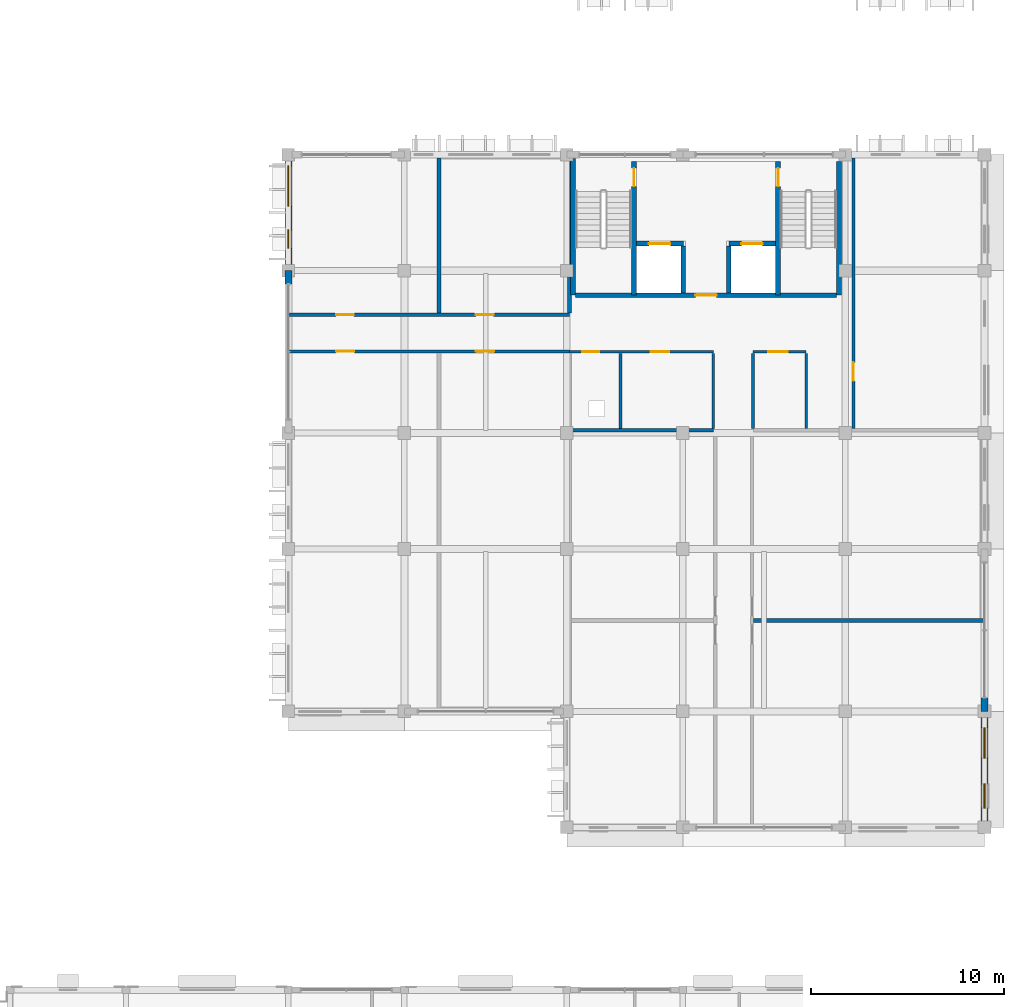
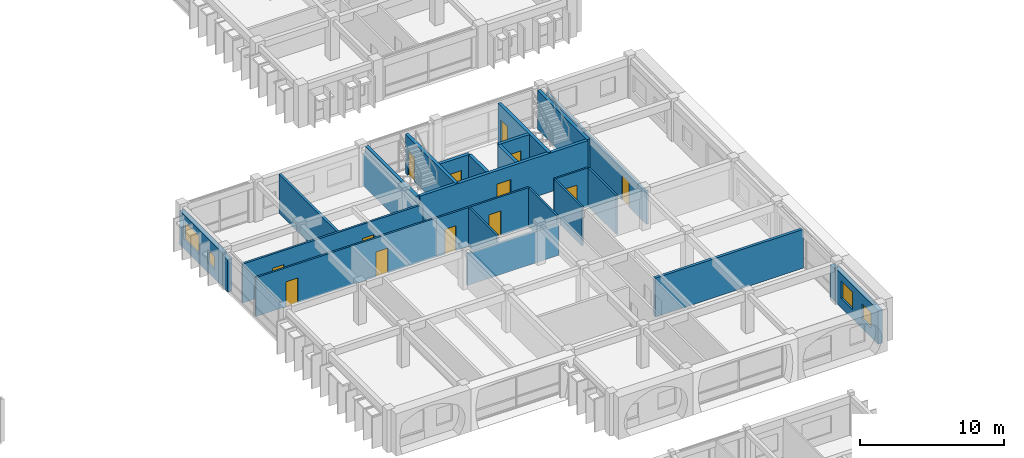
# One storey, part 63 of 88: 26 walls, 13 doors, 4 windows, 17 openings.
"""IFC4 building model written with IfcOpenShell, lengths in metres."""

from ifc_helpers import new_model, si_unit, direction, frame, frame_2d, origin, place, context, subcontext, project, spatial, rectangle, extrude, material, layer, layer_set, type_object, element, fill, save


model = new_model("IFC4")

# Units and contexts
model_context = context("Model", 3, precision=1e-05, world=origin(), true_north=direction((0.0, 1.0)))
body_context = subcontext(model_context, "Body", "Model", "MODEL_VIEW")
ifc_project = project(units=[si_unit("LENGTHUNIT", "METRE"), si_unit("AREAUNIT", "SQUARE_METRE"), si_unit("VOLUMEUNIT", "CUBIC_METRE"), si_unit("PLANEANGLEUNIT", "RADIAN"), si_unit("MASSUNIT", "GRAM", prefix="KILO"), si_unit("THERMODYNAMICTEMPERATUREUNIT", "KELVIN")], contexts=[model_context])

# Site, building, storey
site_placement = place(None, origin())
site = spatial("IfcSite", under=ifc_project, at=site_placement, CompositionType="ELEMENT")
building_placement = place(site_placement, origin())
building = spatial("IfcBuilding", under=site, at=building_placement, Name="Thalorik Housing Commons", CompositionType="ELEMENT")
storey_placement = place(building_placement, frame((0.0, 0.0, 4.5)))
storey = spatial("IfcBuildingStorey", under=building, at=storey_placement, Name="L01", CompositionType="ELEMENT", Elevation=4.5)

# Wall, opening, door
ifc_material_1 = material(Name="Concrete C40/50", Category="concrete")
ifc_layer_1 = layer(ifc_material_1, 0.25, Name="Concrete C40/50", Category="concrete")
ifc_layer_set_1 = layer_set([ifc_layer_1], Name="Concrete C40/50")
wall_type_1 = type_object("IfcWallType", Name="ARC-WAL-CORE-250", PredefinedType="SHEAR", material=ifc_layer_set_1)
wall_1_placement = place(storey_placement, frame((155.875, 71.64990234375, 0.0), z_axis=(0.0, 0.0, 1.0), x_axis=(0.0, -1.0, 0.0)))
wall_1 = element("IfcWall", 1, at=wall_1_placement, inside=storey, type_object=wall_type_1, Name="L01 Core D Stair 1 Shear Wall", PredefinedType="SHEAR", context=body_context, shape_type="SweptSolid", body=[
    extrude(rectangle(XDim=6.9248046875, YDim=0.25, at=frame_2d((3.46240234375, 0.0))), origin(), (0.0, 0.0, 1.0), 3.300048828125),
])
opening_1_placement = place(wall_1_placement, frame((0.35009765625, 0.0, 0.0)))
opening_1 = element("IfcOpeningElement", 2, at=opening_1_placement, cuts=wall_1, Name="Opening ID-0361", PredefinedType="OPENING", context=body_context, shape_type="SweptSolid", body=[
    extrude(rectangle(XDim=0.949951171875, YDim=2.10009765625, at=frame_2d((0.47509765625, 1.050048828125))), frame((0.0, 0.135009765625, 0.0), z_axis=(0.0, -1.0, 0.0), x_axis=(1.0, 0.0, 0.0)), (0.0, 0.0, 1.0), 0.27001953125),
])
ifc_material_2 = material(Name="Steel S355", Category="steel")
door_type_1 = type_object("IfcDoorType", Name="ARC-DR-FD60-950", OperationType="NOTDEFINED", PredefinedType="DOOR", material=ifc_material_2)
door_1_placement = place(opening_1_placement, origin())
door_1 = element("IfcDoor", 3, at=door_1_placement, inside=storey, type_object=door_type_1, Name="L01 Stair ST-D1 Fire Door", OperationType="SINGLE_SWING_RIGHT", OverallHeight=2.10009765625, OverallWidth=0.949951171875, PredefinedType="DOOR", context=body_context, shape_type="SweptSolid", body=[
    extrude(rectangle(XDim=0.949951171875, YDim=2.10009765625, at=frame_2d((0.47509765625, 1.050048828125))), frame((0.0, 0.02490234375, 0.0), z_axis=(0.0, -1.0, 0.0), x_axis=(1.0, 0.0, 0.0)), (0.0, 0.0, 1.0), 0.050048828125),
])
fill(opening_1, door_1)

# Walls
wall_2_placement = place(storey_placement, frame((152.72509765625, 71.800048828125, 0.0), z_axis=(0.0, 0.0, 1.0), x_axis=(0.0, -1.0, 0.0)))
element("IfcWall", 4, at=wall_2_placement, inside=storey, type_object=wall_type_1, Name="L01 Core D Stair 1 Outer Shear Wall", PredefinedType="SHEAR", context=body_context, shape_type="SweptSolid", body=[
    extrude(rectangle(XDim=7.074951171875, YDim=0.25, at=frame_2d((3.53759765625, 0.0))), origin(), (0.0, 0.0, 1.0), 3.300048828125),
])
wall_3_placement = place(storey_placement, frame((166.47509765625, 71.64990234375, 0.0), z_axis=(0.0, 0.0, 1.0), x_axis=(0.0, -1.0, 0.0)))
element("IfcWall", 5, at=wall_3_placement, inside=storey, type_object=wall_type_1, Name="L01 Core D Stair 2 Outer Shear Wall", PredefinedType="SHEAR", context=body_context, shape_type="SweptSolid", body=[
    extrude(rectangle(XDim=6.9248046875, YDim=0.25, at=frame_2d((3.46240234375, 0.0))), origin(), (0.0, 0.0, 1.0), 3.300048828125),
])

# Wall, opening, door
wall_4_placement = place(storey_placement, frame((163.324951171875, 71.64990234375, 0.0), z_axis=(0.0, 0.0, 1.0), x_axis=(0.0, -1.0, 0.0)))
wall_4 = element("IfcWall", 6, at=wall_4_placement, inside=storey, type_object=wall_type_1, Name="L01 Core D Stair 2 Shear Wall", PredefinedType="SHEAR", context=body_context, shape_type="SweptSolid", body=[
    extrude(rectangle(XDim=6.9248046875, YDim=0.25, at=frame_2d((3.46240234375, 0.0))), origin(), (0.0, 0.0, 1.0), 3.300048828125),
])
opening_2_placement = place(wall_4_placement, frame((0.35009765625, 0.0, 0.0)))
opening_2 = element("IfcOpeningElement", 7, at=opening_2_placement, cuts=wall_4, Name="Opening ID-0362", PredefinedType="OPENING", context=body_context, shape_type="SweptSolid", body=[
    extrude(rectangle(XDim=0.949951171875, YDim=2.10009765625, at=frame_2d((0.47509765625, 1.050048828125))), frame((0.0, 0.135009765625, 0.0), z_axis=(0.0, -1.0, 0.0), x_axis=(1.0, 0.0, 0.0)), (0.0, 0.0, 1.0), 0.27001953125),
])
door_2_placement = place(opening_2_placement, origin())
door_2 = element("IfcDoor", 8, at=door_2_placement, inside=storey, type_object=door_type_1, Name="L01 Stair ST-D2 Fire Door", OperationType="SINGLE_SWING_LEFT", OverallHeight=2.10009765625, OverallWidth=0.949951171875, PredefinedType="DOOR", context=body_context, shape_type="SweptSolid", body=[
    extrude(rectangle(XDim=0.949951171875, YDim=2.10009765625, at=frame_2d((0.47509765625, 1.050048828125))), frame((0.0, 0.02490234375, 0.0), z_axis=(0.0, -1.0, 0.0), x_axis=(1.0, 0.0, 0.0)), (0.0, 0.0, 1.0), 0.050048828125),
])
fill(opening_2, door_2)

wall_5_placement = place(storey_placement, frame((156.0, 67.39990234375, 0.0), z_axis=(0.0, 0.0, 1.0), x_axis=(1.0, 0.0, 0.0)))
wall_5 = element("IfcWall", 9, at=wall_5_placement, inside=storey, type_object=wall_type_1, Name="L01 Lift LP-D1 Front Shaft Wall", PredefinedType="SHEAR", context=body_context, shape_type="SweptSolid", body=[
    extrude(rectangle(XDim=2.425048828125, YDim=0.25, at=frame_2d((1.21240234375, 0.0))), origin(), (0.0, 0.0, 1.0), 3.300048828125),
])
opening_3_placement = place(wall_5_placement, frame((0.64990234375, 0.0, 0.0)))
opening_3 = element("IfcOpeningElement", 10, at=opening_3_placement, cuts=wall_5, Name="Opening LD-LP-D1-L01", PredefinedType="OPENING", context=body_context, shape_type="SweptSolid", body=[
    extrude(rectangle(XDim=1.10009765625, YDim=2.14990234375, at=frame_2d((0.550048828125, 1.074951171875))), frame((0.0, 0.135009765625, 0.0), z_axis=(0.0, -1.0, 0.0), x_axis=(1.0, 0.0, 0.0)), (0.0, 0.0, 1.0), 0.27001953125),
])
door_type_2 = type_object("IfcDoorType", Name="ARC-DR-LIFT-1100", OperationType="NOTDEFINED", PredefinedType="DOOR", material=ifc_material_2)
door_3_placement = place(opening_3_placement, origin())
door_3 = element("IfcDoor", 11, at=door_3_placement, inside=storey, type_object=door_type_2, Name="L01 Lift LP-D1 Landing Door", OperationType="SLIDING_TO_LEFT", OverallHeight=2.14990234375, OverallWidth=1.10009765625, PredefinedType="DOOR", context=body_context, shape_type="SweptSolid", body=[
    extrude(rectangle(XDim=1.10009765625, YDim=2.14990234375, at=frame_2d((0.550048828125, 1.074951171875))), frame((0.0, 0.02490234375, 0.0), z_axis=(0.0, -1.0, 0.0), x_axis=(1.0, 0.0, 0.0)), (0.0, 0.0, 1.0), 0.050048828125),
])
fill(opening_3, door_3)

wall_6_placement = place(storey_placement, frame((160.77490234375, 67.39990234375, 0.0), z_axis=(0.0, 0.0, 1.0), x_axis=(1.0, 0.0, 0.0)))
wall_6 = element("IfcWall", 12, at=wall_6_placement, inside=storey, type_object=wall_type_1, Name="L01 Lift LP-D2 Front Shaft Wall", PredefinedType="SHEAR", context=body_context, shape_type="SweptSolid", body=[
    extrude(rectangle(XDim=2.425048828125, YDim=0.25, at=frame_2d((1.21240234375, 0.0))), origin(), (0.0, 0.0, 1.0), 3.300048828125),
])
opening_4_placement = place(wall_6_placement, frame((0.64990234375, 0.0, 0.0)))
opening_4 = element("IfcOpeningElement", 13, at=opening_4_placement, cuts=wall_6, Name="Opening LD-LP-D2-L01", PredefinedType="OPENING", context=body_context, shape_type="SweptSolid", body=[
    extrude(rectangle(XDim=1.10009765625, YDim=2.14990234375, at=frame_2d((0.550048828125, 1.074951171875))), frame((0.0, 0.135009765625, 0.0), z_axis=(0.0, -1.0, 0.0), x_axis=(1.0, 0.0, 0.0)), (0.0, 0.0, 1.0), 0.27001953125),
])
door_4_placement = place(opening_4_placement, origin())
door_4 = element("IfcDoor", 14, at=door_4_placement, inside=storey, type_object=door_type_2, Name="L01 Lift LP-D2 Landing Door", OperationType="SLIDING_TO_LEFT", OverallHeight=2.14990234375, OverallWidth=1.10009765625, PredefinedType="DOOR", context=body_context, shape_type="SweptSolid", body=[
    extrude(rectangle(XDim=1.10009765625, YDim=2.14990234375, at=frame_2d((0.550048828125, 1.074951171875))), frame((0.0, 0.02490234375, 0.0), z_axis=(0.0, -1.0, 0.0), x_axis=(1.0, 0.0, 0.0)), (0.0, 0.0, 1.0), 0.050048828125),
])
fill(opening_4, door_4)

# Walls
for number, where, z_axis, x_axis, name in (
    (15, (158.425048828125, 67.27490234375, 0.0), (0.0, 0.0, 1.0), (0.0, -1.0, 0.0), "L01 Lift 1 Cheek Wall"),
    (16, (160.77490234375, 67.27490234375, 0.0), (0.0, 0.0, 1.0), (0.0, -1.0, 0.0), "L01 Lift 2 Cheek Wall"),
):
    element("IfcWall", number, at=place(storey_placement, frame(where, z_axis=z_axis, x_axis=x_axis)), inside=storey, type_object=wall_type_1, Name=name, PredefinedType="SHEAR", context=body_context, shape_type="SweptSolid", body=[
        extrude(rectangle(XDim=2.4248046875, YDim=0.25, at=frame_2d((1.21240234375, 0.0))), origin(), (0.0, 0.0, 1.0), 3.300048828125),
    ])

# Wall, opening, door
wall_7_placement = place(storey_placement, frame((152.85009765625, 64.72509765625, 0.0), z_axis=(0.0, 0.0, 1.0), x_axis=(1.0, 0.0, 0.0)))
wall_7 = element("IfcWall", 17, at=wall_7_placement, inside=storey, type_object=wall_type_1, Name="L01 Core D Spine Shear Wall", PredefinedType="SHEAR", context=body_context, shape_type="SweptSolid", body=[
    extrude(rectangle(XDim=13.5, YDim=0.25, at=frame_2d((6.75, 0.0))), origin(), (0.0, 0.0, 1.0), 3.300048828125),
])
opening_5_placement = place(wall_7_placement, frame((6.199951171875, 0.0, 0.0)))
opening_5 = element("IfcOpeningElement", 18, at=opening_5_placement, cuts=wall_7, Name="Opening ID-0365", PredefinedType="OPENING", context=body_context, shape_type="SweptSolid", body=[
    extrude(rectangle(XDim=1.10009765625, YDim=2.14990234375, at=frame_2d((0.550048828125, 1.074951171875))), frame((0.0, 0.135009765625, 0.0), z_axis=(0.0, -1.0, 0.0), x_axis=(1.0, 0.0, 0.0)), (0.0, 0.0, 1.0), 0.27001953125),
])
door_type_3 = type_object("IfcDoorType", Name="ARC-DR-FD60-1100", OperationType="NOTDEFINED", PredefinedType="DOOR", material=ifc_material_2)
door_5_placement = place(opening_5_placement, origin())
door_5 = element("IfcDoor", 19, at=door_5_placement, inside=storey, type_object=door_type_3, Name="L01 Core D Lobby Fire Door", OperationType="SINGLE_SWING_RIGHT", OverallHeight=2.14990234375, OverallWidth=1.10009765625, PredefinedType="DOOR", context=body_context, shape_type="SweptSolid", body=[
    extrude(rectangle(XDim=1.10009765625, YDim=2.14990234375, at=frame_2d((0.550048828125, 1.074951171875))), frame((0.0, 0.02490234375, 0.0), z_axis=(0.0, -1.0, 0.0), x_axis=(1.0, 0.0, 0.0)), (0.0, 0.0, 1.0), 0.050048828125),
])
fill(opening_5, door_5)

# Wall, openings, doors
ifc_material_3 = material(Name="Masonry fire-rated corridor wall", Category="masonry")
ifc_layer_2 = layer(ifc_material_3, 0.14990234375, Name="Masonry fire-rated corridor wall", Category="masonry")
ifc_layer_set_2 = layer_set([ifc_layer_2], Name="Masonry fire-rated corridor wall")
wall_type_2 = type_object("IfcWallType", Name="ARC-WAL-CORR-150", PredefinedType="PARTITIONING", material=ifc_layer_set_2)
wall_8_placement = place(storey_placement, frame((138.06005859375, 61.820068359375, 0.0), z_axis=(0.0, 0.0, 1.0), x_axis=(1.0, 0.0, 0.0)))
wall_8 = element("IfcWall", 20, at=wall_8_placement, inside=storey, type_object=wall_type_2, Name="L01 Block D R Corridor Wall 1", PredefinedType="PARTITIONING", context=body_context, shape_type="SweptSolid", body=[
    extrude(rectangle(XDim=14.47998046875, YDim=0.14990234375, at=frame_2d((7.239990234375, 0.0))), origin(), (0.0, 0.0, 1.0), 3.300048828125),
])
opening_6_placement = place(wall_8_placement, frame((2.40869140625, 0.0, 0.0)))
opening_6 = element("IfcOpeningElement", 21, at=opening_6_placement, cuts=wall_8, Name="Opening ID-1996", PredefinedType="OPENING", context=body_context, shape_type="SweptSolid", body=[
    extrude(rectangle(XDim=0.949951171875, YDim=2.10009765625, at=frame_2d((0.47509765625, 1.050048828125))), frame((0.0, 0.0849609375, 0.0), z_axis=(0.0, -1.0, 0.0), x_axis=(1.0, 0.0, 0.0)), (0.0, 0.0, 1.0), 0.169921875),
])
opening_7_placement = place(wall_8_placement, frame((9.63623046875, 0.0, 0.0)))
opening_7 = element("IfcOpeningElement", 22, at=opening_7_placement, cuts=wall_8, Name="Opening ID-1997", PredefinedType="OPENING", context=body_context, shape_type="SweptSolid", body=[
    extrude(rectangle(XDim=0.949951171875, YDim=2.10009765625, at=frame_2d((0.47509765625, 1.050048828125))), frame((0.0, 0.0849609375, 0.0), z_axis=(0.0, -1.0, 0.0), x_axis=(1.0, 0.0, 0.0)), (0.0, 0.0, 1.0), 0.169921875),
])
door_6_placement = place(opening_6_placement, origin())
door_6 = element("IfcDoor", 23, at=door_6_placement, inside=storey, type_object=door_type_1, Name="L01 Community Study Hall Entrance Door", OperationType="SINGLE_SWING_LEFT", OverallHeight=2.10009765625, OverallWidth=0.949951171875, PredefinedType="DOOR", context=body_context, shape_type="SweptSolid", body=[
    extrude(rectangle(XDim=0.949951171875, YDim=2.10009765625, at=frame_2d((0.47509765625, 1.050048828125))), frame((0.0, 0.02490234375, 0.0), z_axis=(0.0, -1.0, 0.0), x_axis=(1.0, 0.0, 0.0)), (0.0, 0.0, 1.0), 0.050048828125),
])
fill(opening_6, door_6)
door_7_placement = place(opening_7_placement, origin())
door_7 = element("IfcDoor", 24, at=door_7_placement, inside=storey, type_object=door_type_1, Name="L01 Shared Sewing Workshop Entrance Door", OperationType="SINGLE_SWING_RIGHT", OverallHeight=2.10009765625, OverallWidth=0.949951171875, PredefinedType="DOOR", context=body_context, shape_type="SweptSolid", body=[
    extrude(rectangle(XDim=0.949951171875, YDim=2.10009765625, at=frame_2d((0.47509765625, 1.050048828125))), frame((0.0, 0.02490234375, 0.0), z_axis=(0.0, -1.0, 0.0), x_axis=(1.0, 0.0, 0.0)), (0.0, 0.0, 1.0), 0.050048828125),
])
fill(opening_7, door_7)

# Wall, opening, door
ifc_layer_3 = layer(ifc_material_3, 0.1650390625, Name="Masonry fire-rated corridor wall", Category="masonry")
ifc_layer_set_3 = layer_set([ifc_layer_3], Name="Masonry fire-rated corridor wall")
wall_type_3 = type_object("IfcWallType", Name="ARC-WAL-CORR-165", PredefinedType="PARTITIONING", material=ifc_layer_set_3)
wall_9_placement = place(storey_placement, frame((167.219970703125, 57.842041015625, 0.0), z_axis=(0.0, 0.0, 1.0), x_axis=(0.0, 1.0, 0.0)))
wall_9 = element("IfcWall", 25, at=wall_9_placement, inside=storey, type_object=wall_type_3, Name="L01 Block D East Studio Wall", PredefinedType="PARTITIONING", context=body_context, shape_type="SweptSolid", body=[
    extrude(rectangle(XDim=13.98095703125, YDim=0.1650390625, at=frame_2d((6.990478515625, 0.0))), origin(), (0.0, 0.0, 1.0), 2.72509765625),
])
opening_8_placement = place(wall_9_placement, frame((2.447998046875, 0.0, 0.0)))
opening_8 = element("IfcOpeningElement", 26, at=opening_8_placement, cuts=wall_9, Name="Opening ID-1995", PredefinedType="OPENING", context=body_context, shape_type="SweptSolid", body=[
    extrude(rectangle(XDim=0.9599609375, YDim=2.1201171875, at=frame_2d((0.47998046875, 1.06005859375))), frame((0.0, 0.092529296875, 0.0), z_axis=(0.0, -1.0, 0.0), x_axis=(1.0, 0.0, 0.0)), (0.0, 0.0, 1.0), 0.18505859375),
])
ifc_material_4 = material(Name="Solid core hardwood timber", Category="wood")
door_type_4 = type_object("IfcDoorType", Name="ARC-DR-FD30-960", OperationType="NOTDEFINED", PredefinedType="DOOR", material=ifc_material_4)
door_8_placement = place(opening_8_placement, origin())
door_8 = element("IfcDoor", 27, at=door_8_placement, inside=storey, type_object=door_type_4, Name="L01 Block D East Room Door", OperationType="SINGLE_SWING_RIGHT", OverallHeight=2.1201171875, OverallWidth=0.9599609375, PredefinedType="DOOR", context=body_context, shape_type="SweptSolid", body=[
    extrude(rectangle(XDim=0.9599609375, YDim=2.1201171875, at=frame_2d((0.47998046875, 1.06005859375))), frame((0.0, 0.02490234375, 0.0), z_axis=(0.0, -1.0, 0.0), x_axis=(1.0, 0.0, 0.0)), (0.0, 0.0, 1.0), 0.050048828125),
])
fill(opening_8, door_8)

# Wall, openings, doors
wall_10_placement = place(storey_placement, frame((138.06005859375, 63.719970703125, 0.0), z_axis=(0.0, 0.0, 1.0), x_axis=(1.0, 0.0, 0.0)))
wall_10 = element("IfcWall", 28, at=wall_10_placement, inside=storey, type_object=wall_type_3, Name="L01 Block D R Corridor Wall 2", PredefinedType="PARTITIONING", context=body_context, shape_type="SweptSolid", body=[
    extrude(rectangle(XDim=14.47998046875, YDim=0.1650390625, at=frame_2d((7.239990234375, 0.0))), origin(), (0.0, 0.0, 1.0), 3.300048828125),
])
opening_9_placement = place(wall_10_placement, frame((2.4052734375, 0.0, 0.0)))
opening_9 = element("IfcOpeningElement", 29, at=opening_9_placement, cuts=wall_10, Name="Opening ID-1998", PredefinedType="OPENING", context=body_context, shape_type="SweptSolid", body=[
    extrude(rectangle(XDim=0.919921875, YDim=2.10009765625, at=frame_2d((0.4599609375, 1.050048828125))), frame((0.0, 0.092529296875, 0.0), z_axis=(0.0, -1.0, 0.0), x_axis=(1.0, 0.0, 0.0)), (0.0, 0.0, 1.0), 0.18505859375),
])
opening_10_placement = place(wall_10_placement, frame((9.633056640625, 0.0, 0.0)))
opening_10 = element("IfcOpeningElement", 30, at=opening_10_placement, cuts=wall_10, Name="Opening ID-1999", PredefinedType="OPENING", context=body_context, shape_type="SweptSolid", body=[
    extrude(rectangle(XDim=0.919921875, YDim=2.10009765625, at=frame_2d((0.4599609375, 1.050048828125))), frame((0.0, 0.092529296875, 0.0), z_axis=(0.0, -1.0, 0.0), x_axis=(1.0, 0.0, 0.0)), (0.0, 0.0, 1.0), 0.18505859375),
])
door_type_5 = type_object("IfcDoorType", Name="ARC-DR-FD30-920", OperationType="NOTDEFINED", PredefinedType="DOOR", material=ifc_material_4)
door_9_placement = place(opening_9_placement, origin())
door_9 = element("IfcDoor", 31, at=door_9_placement, inside=storey, type_object=door_type_5, Name="L01 Music and Craft Practice Room Door", OperationType="SINGLE_SWING_LEFT", OverallHeight=2.10009765625, OverallWidth=0.919921875, PredefinedType="DOOR", context=body_context, shape_type="SweptSolid", body=[
    extrude(rectangle(XDim=0.919921875, YDim=2.10009765625, at=frame_2d((0.4599609375, 1.050048828125))), frame((0.0, 0.02490234375, 0.0), z_axis=(0.0, -1.0, 0.0), x_axis=(1.0, 0.0, 0.0)), (0.0, 0.0, 1.0), 0.050048828125),
])
fill(opening_9, door_9)
door_10_placement = place(opening_10_placement, origin())
door_10 = element("IfcDoor", 32, at=door_10_placement, inside=storey, type_object=door_type_5, Name="L01 Ceramics and Print Workshop Door", OperationType="SINGLE_SWING_RIGHT", OverallHeight=2.10009765625, OverallWidth=0.919921875, PredefinedType="DOOR", context=body_context, shape_type="SweptSolid", body=[
    extrude(rectangle(XDim=0.919921875, YDim=2.10009765625, at=frame_2d((0.4599609375, 1.050048828125))), frame((0.0, 0.02490234375, 0.0), z_axis=(0.0, -1.0, 0.0), x_axis=(1.0, 0.0, 0.0)), (0.0, 0.0, 1.0), 0.050048828125),
])
fill(opening_10, door_10)

# Wall, openings, windows
ifc_material_5 = material(Name="White precast concrete C40/50", Category="concrete")
ifc_layer_4 = layer(ifc_material_5, 0.35009765625, Name="White precast concrete C40/50", Category="concrete")
ifc_layer_set_4 = layer_set([ifc_layer_4], Name="White precast concrete C40/50")
wall_type_4 = type_object("IfcWallType", Name="ARC-WAL-EXT-350", PredefinedType="STANDARD", material=ifc_layer_set_4)
wall_11_placement = place(storey_placement, frame((138.0, 72.0, 0.0), z_axis=(0.0, 0.0, 1.0), x_axis=(0.0, -1.0, 0.0)))
wall_11 = element("IfcWall", 33, at=wall_11_placement, inside=storey, type_object=wall_type_4, Name="L01 Exterior Wall WAL-EXT-L01-D-1127", PredefinedType="STANDARD", context=body_context, shape_type="SweptSolid", body=[
    extrude(rectangle(XDim=6.0, YDim=0.35009765625, at=frame_2d((3.0, 0.0))), origin(), (0.0, 0.0, 1.0), 2.875),
])
opening_11_placement = place(wall_11_placement, frame((0.580078125, 0.0, 0.780029296875)))
opening_11 = element("IfcOpeningElement", 34, at=opening_11_placement, cuts=wall_11, Name="Opening W-26", PredefinedType="OPENING", context=body_context, shape_type="SweptSolid", body=[
    extrude(rectangle(XDim=2.10009765625, YDim=1.550048828125, at=frame_2d((1.050048828125, 0.77490234375))), frame((0.0, 0.18505859375, 0.0), z_axis=(0.0, -1.0, 0.0), x_axis=(1.0, 0.0, 0.0)), (0.0, 0.0, 1.0), 0.3701171875),
])
opening_12_placement = place(wall_11_placement, frame((3.89501953125, 0.0, 0.780029296875)))
opening_12 = element("IfcOpeningElement", 35, at=opening_12_placement, cuts=wall_11, Name="Opening W-43", PredefinedType="OPENING", context=body_context, shape_type="SweptSolid", body=[
    extrude(rectangle(XDim=0.949951171875, YDim=1.14990234375, at=frame_2d((0.47509765625, 0.574951171875))), frame((0.0, 0.18505859375, 0.0), z_axis=(0.0, -1.0, 0.0), x_axis=(1.0, 0.0, 0.0)), (0.0, 0.0, 1.0), 0.3701171875),
])
ifc_material_6 = material(Name="Anodised aluminium and solar-control low-E glass", Category="aluminium")
window_type_1 = type_object("IfcWindowType", Name="ARC-WIN-26", PartitioningType="DOUBLE_PANEL_VERTICAL", PredefinedType="WINDOW", material=ifc_material_6)
window_1_placement = place(opening_11_placement, origin())
window_1 = element("IfcWindow", 36, at=window_1_placement, inside=storey, type_object=window_type_1, Name="L01 Facade Window 2072", OverallHeight=1.550048828125, OverallWidth=2.10009765625, PartitioningType="DOUBLE_PANEL_VERTICAL", PredefinedType="WINDOW", context=body_context, shape_type="SweptSolid", body=[
    extrude(rectangle(XDim=2.10009765625, YDim=1.550048828125, at=frame_2d((1.050048828125, 0.77490234375))), frame((0.0, 0.030029296875, 0.0), z_axis=(0.0, -1.0, 0.0), x_axis=(1.0, 0.0, 0.0)), (0.0, 0.0, 1.0), 0.06005859375),
])
fill(opening_11, window_1)
window_type_2 = type_object("IfcWindowType", Name="ARC-WIN-43", PartitioningType="SINGLE_PANEL", PredefinedType="WINDOW", material=ifc_material_6)
window_2_placement = place(opening_12_placement, origin())
window_2 = element("IfcWindow", 37, at=window_2_placement, inside=storey, type_object=window_type_2, Name="L01 Facade Window 2073", OverallHeight=1.14990234375, OverallWidth=0.949951171875, PartitioningType="SINGLE_PANEL", PredefinedType="WINDOW", context=body_context, shape_type="SweptSolid", body=[
    extrude(rectangle(XDim=0.949951171875, YDim=1.14990234375, at=frame_2d((0.47509765625, 0.574951171875))), frame((0.0, 0.030029296875, 0.0), z_axis=(0.0, -1.0, 0.0), x_axis=(1.0, 0.0, 0.0)), (0.0, 0.0, 1.0), 0.06005859375),
])
fill(opening_12, window_2)

# Wall
wall_12_placement = place(storey_placement, frame((138.0, 66.0, 0.0), z_axis=(0.0, 0.0, 1.0), x_axis=(0.0, -1.0, 0.0)))
element("IfcWall", 38, at=wall_12_placement, inside=storey, type_object=wall_type_4, Name="L01 Exterior Wall WAL-PIERL-L01-D-1128", PredefinedType="STANDARD", context=body_context, shape_type="SweptSolid", body=[
    extrude(rectangle(XDim=0.699951171875, YDim=0.35009765625, at=frame_2d((0.35009765625, 0.0))), origin(), (0.0, 0.0, 1.0), 2.72509765625),
])

# Wall, openings, windows
wall_13_placement = place(storey_placement, frame((174.0, 37.199951171875, 0.0), z_axis=(0.0, 0.0, 1.0), x_axis=(0.0, 1.0, 0.0)))
wall_13 = element("IfcWall", 39, at=wall_13_placement, inside=storey, type_object=wall_type_4, Name="L01 Exterior Wall WAL-EXT-L01-D-1137", PredefinedType="STANDARD", context=body_context, shape_type="SweptSolid", body=[
    extrude(rectangle(XDim=6.0, YDim=0.35009765625, at=frame_2d((3.0, 0.0))), origin(), (0.0, 0.0, 1.0), 2.875),
])
opening_13_placement = place(wall_13_placement, frame((1.0048828125, 0.0, 0.780029296875)))
opening_13 = element("IfcOpeningElement", 40, at=opening_13_placement, cuts=wall_13, Name="Opening W-46", PredefinedType="OPENING", context=body_context, shape_type="SweptSolid", body=[
    extrude(rectangle(XDim=1.25, YDim=1.300048828125, at=frame_2d((0.625, 0.64990234375))), frame((0.0, 0.18505859375, 0.0), z_axis=(0.0, -1.0, 0.0), x_axis=(1.0, 0.0, 0.0)), (0.0, 0.0, 1.0), 0.3701171875),
])
opening_14_placement = place(wall_13_placement, frame((3.580078125, 0.0, 0.780029296875)))
opening_14 = element("IfcOpeningElement", 41, at=opening_14_placement, cuts=wall_13, Name="Opening W-53", PredefinedType="OPENING", context=body_context, shape_type="SweptSolid", body=[
    extrude(rectangle(XDim=1.580078125, YDim=1.47998046875, at=frame_2d((0.7900390625, 0.739990234375))), frame((0.0, 0.18505859375, 0.0), z_axis=(0.0, -1.0, 0.0), x_axis=(1.0, 0.0, 0.0)), (0.0, 0.0, 1.0), 0.3701171875),
])
window_type_3 = type_object("IfcWindowType", Name="ARC-WIN-46", PartitioningType="SINGLE_PANEL", PredefinedType="WINDOW", material=ifc_material_6)
window_3_placement = place(opening_13_placement, origin())
window_3 = element("IfcWindow", 42, at=window_3_placement, inside=storey, type_object=window_type_3, Name="L01 Facade Window 2086", OverallHeight=1.300048828125, OverallWidth=1.25, PartitioningType="SINGLE_PANEL", PredefinedType="WINDOW", context=body_context, shape_type="SweptSolid", body=[
    extrude(rectangle(XDim=1.25, YDim=1.300048828125, at=frame_2d((0.625, 0.64990234375))), frame((0.0, 0.030029296875, 0.0), z_axis=(0.0, -1.0, 0.0), x_axis=(1.0, 0.0, 0.0)), (0.0, 0.0, 1.0), 0.06005859375),
])
fill(opening_13, window_3)
window_type_4 = type_object("IfcWindowType", Name="ARC-WIN-53", PartitioningType="SINGLE_PANEL", PredefinedType="WINDOW", material=ifc_material_6)
window_4_placement = place(opening_14_placement, origin())
window_4 = element("IfcWindow", 43, at=window_4_placement, inside=storey, type_object=window_type_4, Name="L01 Facade Window 2087", OverallHeight=1.47998046875, OverallWidth=1.580078125, PartitioningType="SINGLE_PANEL", PredefinedType="WINDOW", context=body_context, shape_type="SweptSolid", body=[
    extrude(rectangle(XDim=1.580078125, YDim=1.47998046875, at=frame_2d((0.7900390625, 0.739990234375))), frame((0.0, 0.030029296875, 0.0), z_axis=(0.0, -1.0, 0.0), x_axis=(1.0, 0.0, 0.0)), (0.0, 0.0, 1.0), 0.06005859375),
])
fill(opening_14, window_4)

# Walls
wall_14_placement = place(storey_placement, frame((174.0, 43.199951171875, 0.0), z_axis=(0.0, 0.0, 1.0), x_axis=(0.0, 1.0, 0.0)))
element("IfcWall", 44, at=wall_14_placement, inside=storey, type_object=wall_type_4, Name="L01 Exterior Wall WAL-PIERL-L01-D-1138", PredefinedType="STANDARD", context=body_context, shape_type="SweptSolid", body=[
    extrude(rectangle(XDim=0.699951171875, YDim=0.35009765625, at=frame_2d((0.35009765625, 0.0))), origin(), (0.0, 0.0, 1.0), 2.72509765625),
])
ifc_material_7 = material(Name="Ceramic masonry partition wall", Category="masonry")
ifc_layer_5 = layer(ifc_material_7, 0.14794921875, Name="Ceramic masonry partition wall", Category="masonry")
ifc_layer_set_5 = layer_set([ifc_layer_5], Name="Ceramic masonry partition wall")
wall_type_5 = type_object("IfcWallType", Name="ARC-WAL-PART-150", PredefinedType="PARTITIONING", material=ifc_layer_set_5)
for number, where, z_axis, x_axis, name in (
    (45, (155.175048828125, 61.72412109375, 0.0), (0.0, 0.0, 1.0), (0.0, -1.0, 0.0), "Riser Wall"),
    (46, (159.97509765625, 61.72412109375, 0.0), (0.0, 0.0, 1.0), (0.0, -1.0, 0.0), "Core Stem West Cheek Wall"),
):
    element("IfcWall", number, at=place(storey_placement, frame(where, z_axis=z_axis, x_axis=x_axis)), inside=storey, type_object=wall_type_5, Name=name, PredefinedType="PARTITIONING", context=body_context, shape_type="SweptSolid", body=[
        extrude(rectangle(XDim=3.8896484375, YDim=0.14794921875, at=frame_2d((1.94482421875, 0.0))), origin(), (0.0, 0.0, 1.0), 3.300048828125),
    ])
for number, where, z_axis, x_axis, name in (
    (47, (162.02490234375, 61.72412109375, 0.0), (0.0, 0.0, 1.0), (0.0, -1.0, 0.0), "Core Stem East Cheek Wall"),
    (48, (164.780029296875, 61.72412109375, 0.0), (0.0, 0.0, 1.0), (0.0, -1.0, 0.0), "Core East Enclosing Wall"),
):
    element("IfcWall", number, at=place(storey_placement, frame(where, z_axis=z_axis, x_axis=x_axis)), inside=storey, type_object=wall_type_5, Name=name, PredefinedType="PARTITIONING", context=body_context, shape_type="SweptSolid", body=[
        extrude(rectangle(XDim=3.882080078125, YDim=0.14794921875, at=frame_2d((1.94091796875, 0.0))), origin(), (0.0, 0.0, 1.0), 3.300048828125),
    ])

# Wall, openings, doors
wall_15_placement = place(storey_placement, frame((152.5400390625, 61.800048828125, 0.0), z_axis=(0.0, 0.0, 1.0), x_axis=(1.0, 0.0, 0.0)))
wall_15 = element("IfcWall", 49, at=wall_15_placement, inside=storey, type_object=wall_type_5, Name="L01 Core D West Corridor Partition", PredefinedType="PARTITIONING", context=body_context, shape_type="SweptSolid", body=[
    extrude(rectangle(XDim=7.43505859375, YDim=0.14794921875, at=frame_2d((3.717529296875, 0.0))), origin(), (0.0, 0.0, 1.0), 3.300048828125),
])
opening_15_placement = place(wall_15_placement, frame((0.64990234375, 0.0, 0.0)))
opening_15 = element("IfcOpeningElement", 50, at=opening_15_placement, cuts=wall_15, Name="Opening ID-0366", PredefinedType="OPENING", context=body_context, shape_type="SweptSolid", body=[
    extrude(rectangle(XDim=0.89990234375, YDim=2.10009765625, at=frame_2d((0.449951171875, 1.050048828125))), frame((0.0, 0.083984375, 0.0), z_axis=(0.0, -1.0, 0.0), x_axis=(1.0, 0.0, 0.0)), (0.0, 0.0, 1.0), 0.16796875),
])
opening_16_placement = place(wall_15_placement, frame((4.199951171875, 0.0, 0.0)))
opening_16 = element("IfcOpeningElement", 51, at=opening_16_placement, cuts=wall_15, Name="Opening ID-0367", PredefinedType="OPENING", context=body_context, shape_type="SweptSolid", body=[
    extrude(rectangle(XDim=0.949951171875, YDim=2.10009765625, at=frame_2d((0.47509765625, 1.050048828125))), frame((0.0, 0.083984375, 0.0), z_axis=(0.0, -1.0, 0.0), x_axis=(1.0, 0.0, 0.0)), (0.0, 0.0, 1.0), 0.16796875),
])
door_type_6 = type_object("IfcDoorType", Name="ARC-DR-FD60-900", OperationType="NOTDEFINED", PredefinedType="DOOR", material=ifc_material_2)
door_11_placement = place(opening_15_placement, origin())
door_11 = element("IfcDoor", 52, at=door_11_placement, inside=storey, type_object=door_type_6, Name="Electrical Riser Door", OperationType="SINGLE_SWING_LEFT", OverallHeight=2.10009765625, OverallWidth=0.89990234375, PredefinedType="DOOR", context=body_context, shape_type="SweptSolid", body=[
    extrude(rectangle(XDim=0.89990234375, YDim=2.10009765625, at=frame_2d((0.449951171875, 1.050048828125))), frame((0.0, 0.02490234375, 0.0), z_axis=(0.0, -1.0, 0.0), x_axis=(1.0, 0.0, 0.0)), (0.0, 0.0, 1.0), 0.050048828125),
])
fill(opening_15, door_11)
ifc_material_8 = material(Name="Engineered oak timber", Category="wood")
door_type_7 = type_object("IfcDoorType", Name="ARC-DR-INT-950", OperationType="NOTDEFINED", PredefinedType="DOOR", material=ifc_material_8)
door_12_placement = place(opening_16_placement, origin())
door_12 = element("IfcDoor", 53, at=door_12_placement, inside=storey, type_object=door_type_7, Name="Accessible Bathroom Door", OperationType="SINGLE_SWING_RIGHT", OverallHeight=2.10009765625, OverallWidth=0.949951171875, PredefinedType="DOOR", context=body_context, shape_type="SweptSolid", body=[
    extrude(rectangle(XDim=0.949951171875, YDim=2.10009765625, at=frame_2d((0.47509765625, 1.050048828125))), frame((0.0, 0.02490234375, 0.0), z_axis=(0.0, -1.0, 0.0), x_axis=(1.0, 0.0, 0.0)), (0.0, 0.0, 1.0), 0.050048828125),
])
fill(opening_16, door_12)

# Wall, opening, door
wall_16_placement = place(storey_placement, frame((162.02490234375, 61.800048828125, 0.0), z_axis=(0.0, 0.0, 1.0), x_axis=(1.0, 0.0, 0.0)))
wall_16 = element("IfcWall", 54, at=wall_16_placement, inside=storey, type_object=wall_type_5, Name="L01 Core D East Corridor Partition", PredefinedType="PARTITIONING", context=body_context, shape_type="SweptSolid", body=[
    extrude(rectangle(XDim=2.755126953125, YDim=0.14794921875, at=frame_2d((1.37744140625, 0.0))), origin(), (0.0, 0.0, 1.0), 3.300048828125),
])
opening_17_placement = place(wall_16_placement, frame((0.800048828125, 0.0, 0.0)))
opening_17 = element("IfcOpeningElement", 55, at=opening_17_placement, cuts=wall_16, Name="Opening ID-0368", PredefinedType="OPENING", context=body_context, shape_type="SweptSolid", body=[
    extrude(rectangle(XDim=1.0, YDim=2.14990234375, at=frame_2d((0.5, 1.074951171875))), frame((0.0, 0.083984375, 0.0), z_axis=(0.0, -1.0, 0.0), x_axis=(1.0, 0.0, 0.0)), (0.0, 0.0, 1.0), 0.16796875),
])
door_type_8 = type_object("IfcDoorType", Name="ARC-DR-FD60-1000", OperationType="NOTDEFINED", PredefinedType="DOOR", material=ifc_material_2)
door_13_placement = place(opening_17_placement, origin())
door_13 = element("IfcDoor", 56, at=door_13_placement, inside=storey, type_object=door_type_8, Name="Core Hub Room Door", OperationType="SINGLE_SWING_LEFT", OverallHeight=2.14990234375, OverallWidth=1.0, PredefinedType="DOOR", context=body_context, shape_type="SweptSolid", body=[
    extrude(rectangle(XDim=1.0, YDim=2.14990234375, at=frame_2d((0.5, 1.074951171875))), frame((0.0, 0.02490234375, 0.0), z_axis=(0.0, -1.0, 0.0), x_axis=(1.0, 0.0, 0.0)), (0.0, 0.0, 1.0), 0.050048828125),
])
fill(opening_17, door_13)

# Walls
ifc_material_9 = material(Name="Masonry acoustic blockwork wall", Category="masonry")
ifc_layer_6 = layer(ifc_material_9, 0.18505859375, Name="Masonry acoustic blockwork wall", Category="masonry")
ifc_layer_set_6 = layer_set([ifc_layer_6], Name="Masonry acoustic blockwork wall")
wall_type_6 = type_object("IfcWallType", Name="ARC-WAL-PARTY-185", PredefinedType="PARTITIONING", material=ifc_layer_set_6)
wall_17_placement = place(storey_placement, frame((152.64208984375, 57.739990234375, 0.0), z_axis=(0.0, 0.0, 1.0), x_axis=(1.0, 0.0, 0.0)))
element("IfcWall", 57, at=wall_17_placement, inside=storey, type_object=wall_type_6, Name="L01 Core End Wall A", PredefinedType="PARTITIONING", context=body_context, shape_type="SweptSolid", body=[
    extrude(rectangle(XDim=7.353515625, YDim=0.18505859375, at=frame_2d((3.6767578125, 0.0))), origin(), (0.0, 0.0, 1.0), 2.675048828125),
])
wall_18_placement = place(storey_placement, frame((145.7900390625, 63.804443359375, 0.0), z_axis=(0.0, 0.0, 1.0), x_axis=(0.0, 1.0, 0.0)))
element("IfcWall", 58, at=wall_18_placement, inside=storey, type_object=wall_type_6, Name="L01 Inter-Tenancy Wall 1B", PredefinedType="PARTITIONING", context=body_context, shape_type="SweptSolid", body=[
    extrude(rectangle(XDim=8.0185546875, YDim=0.18505859375, at=frame_2d((4.00927734375, 0.0))), origin(), (0.0, 0.0, 1.0), 3.300048828125),
])
ifc_material_10 = material(Name="Precast concrete C40/50 acoustic wall", Category="concrete")
ifc_layer_7 = layer(ifc_material_10, 0.219970703125, Name="Precast concrete C40/50 acoustic wall", Category="concrete")
ifc_layer_set_7 = layer_set([ifc_layer_7], Name="Precast concrete C40/50 acoustic wall")
wall_type_7 = type_object("IfcWallType", Name="ARC-WAL-PARTY-220", PredefinedType="PARTITIONING", material=ifc_layer_set_7)
wall_19_placement = place(storey_placement, frame((162.056884765625, 47.909912109375, 0.0), z_axis=(0.0, 0.0, 1.0), x_axis=(1.0, 0.0, 0.0)))
element("IfcWall", 59, at=wall_19_placement, inside=storey, type_object=wall_type_7, Name="L01 Inter-Tenancy Wall 1B", PredefinedType="PARTITIONING", context=body_context, shape_type="SweptSolid", body=[
    extrude(rectangle(XDim=11.883056640625, YDim=0.219970703125, at=frame_2d((5.94140625, 0.0))), origin(), (0.0, 0.0, 1.0), 3.300048828125),
])
wall_20_placement = place(storey_placement, frame((152.5400390625, 63.804443359375, 0.0), z_axis=(0.0, 0.0, 1.0), x_axis=(0.0, 1.0, 0.0)))
element("IfcWall", 60, at=wall_20_placement, inside=storey, type_object=wall_type_7, Name="L01 Core End Wall B", PredefinedType="PARTITIONING", context=body_context, shape_type="SweptSolid", body=[
    extrude(rectangle(XDim=8.0185546875, YDim=0.219970703125, at=frame_2d((4.00927734375, 0.0))), origin(), (0.0, 0.0, 1.0), 2.72509765625),
])

save(model, "model.ifc")
